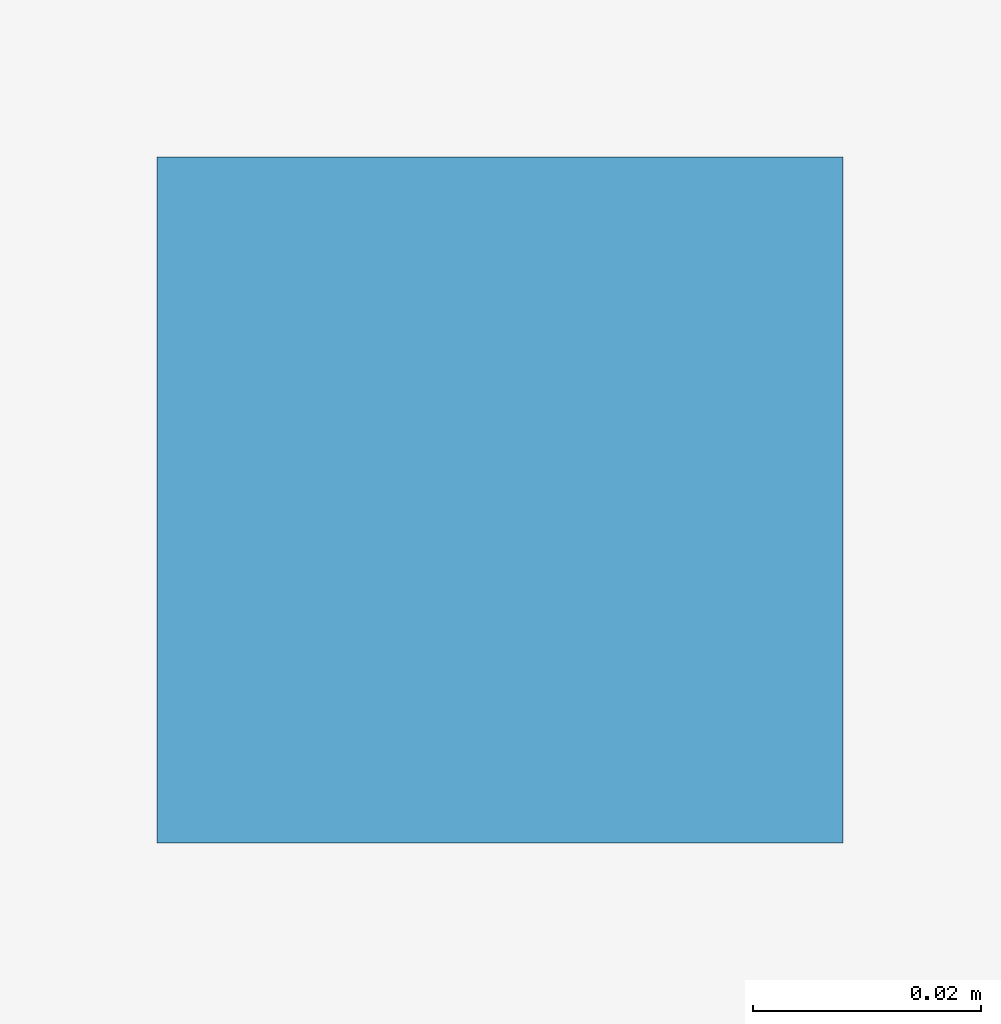
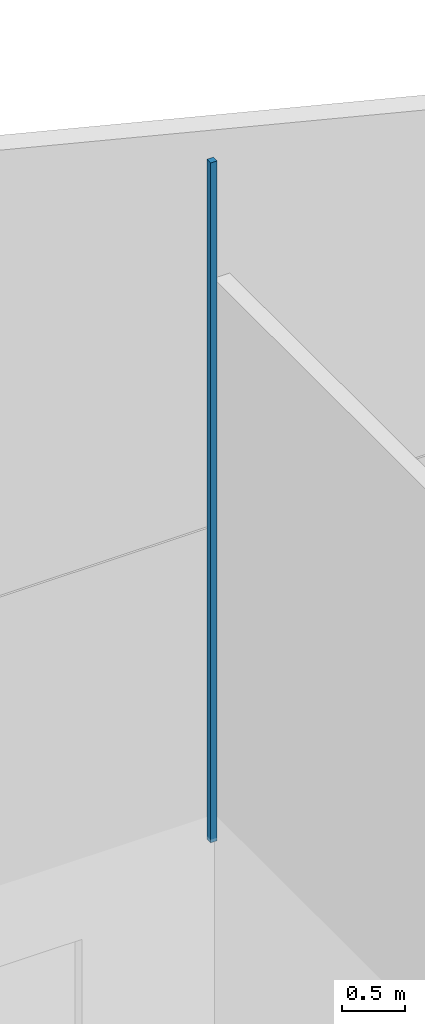
# One storey, part 91 of 110: 1 discrete accessory.
"""IFC4 building model written with IfcOpenShell, lengths in metres."""

import ifcopenshell
import ifcopenshell.guid

model = None  # the IFC model being written
_history = None  # IfcOwnerHistory: only IFC2X3 demands one
_inside = {}  # id of a spatial element -> (the spatial element, [elements in it])
_under = {}  # id of a project, library or spatial element -> (it, [spatial elements below it])
_declared = {}  # id of a project -> (the project, [libraries it declares])
_typed = {}  # id of a type object -> (the type object, [elements of that type])
_made_of = {}  # id of a material, layer set ... -> (it, [elements and type objects made of it])


def new_model(schema):
    """Start an empty IFC model of exactly this schema.

    Asked for "IFC4X3", IfcOpenShell would pick the latest addendum, in which some entities
    have other attributes; the version numbers below select the first issue.
    IFC2X3 requires an IfcOwnerHistory on every rooted entity: one is made here for all.
    """
    global model, _history
    if schema == "IFC4X3":
        model = ifcopenshell.file(schema_version=(4, 3, 0, 0))
    else:
        model = ifcopenshell.file(schema=schema)
    _inside.clear()
    _under.clear()
    _declared.clear()
    _typed.clear()
    _made_of.clear()
    _history = None
    if model.schema == "IFC2X3":
        org = make("IfcOrganization", Name="unknown")
        user = make(
            "IfcPersonAndOrganization",
            ThePerson=make("IfcPerson", FamilyName="unknown"),
            TheOrganization=org,
        )
        app = make(
            "IfcApplication",
            ApplicationDeveloper=org,
            Version="unknown",
            ApplicationFullName="unknown",
            ApplicationIdentifier="unknown",
        )
        _history = make(
            "IfcOwnerHistory",
            OwningUser=user,
            OwningApplication=app,
            ChangeAction="ADDED",
            CreationDate=0,
        )
    return model


def make(cls, **values):
    """One entity of the class cls with the attributes given. An attribute that is None is left unset."""
    return model.create_entity(
        cls, **{name: value for name, value in values.items() if value is not None}
    )


def rooted(cls, **values):
    """An entity with a GlobalId (a new one), such as an element, a storey or a relation."""
    return make(cls, GlobalId=ifcopenshell.guid.new(), OwnerHistory=_history, **values)


def si_unit(unit_type, name, prefix=None):
    """IfcSIUnit, for example si_unit("LENGTHUNIT", "METRE", prefix="MILLI")."""
    return make("IfcSIUnit", UnitType=unit_type, Prefix=prefix, Name=name)


def assignment(units):
    """IfcUnitAssignment: the units of a project."""
    return None if units is None else make("IfcUnitAssignment", Units=units)


def point(xyz):
    """IfcCartesianPoint."""
    return None if xyz is None else make("IfcCartesianPoint", Coordinates=xyz)


def direction(xyz):
    """IfcDirection."""
    return None if xyz is None else make("IfcDirection", DirectionRatios=xyz)


def frame(location, z_axis=None, x_axis=None):
    """IfcAxis2Placement3D, a coordinate frame: its origin and axes. An axis left out is left unset."""
    return make(
        "IfcAxis2Placement3D",
        Location=point(location),
        Axis=direction(z_axis),
        RefDirection=direction(x_axis),
    )


def origin():
    """The frame at (0, 0, 0) with its axes left unset."""
    return frame((0.0, 0.0, 0.0))


def place(relative_to, where):
    """IfcLocalPlacement: puts the frame where relative to a parent placement (None: the world)."""
    return make(
        "IfcLocalPlacement", PlacementRelTo=relative_to, RelativePlacement=where
    )


def context(
    kind, dimensions, precision=None, world=None, true_north=None, identifier=None
):
    """IfcGeometricRepresentationContext, for example the 3D "Model" context."""
    return make(
        "IfcGeometricRepresentationContext",
        ContextIdentifier=identifier,
        ContextType=kind,
        CoordinateSpaceDimension=dimensions,
        Precision=precision,
        WorldCoordinateSystem=world,
        TrueNorth=true_north,
    )


def subcontext(parent, identifier, kind, view, scale=None):
    """IfcGeometricRepresentationSubContext, for example "Body" below "Model"."""
    return make(
        "IfcGeometricRepresentationSubContext",
        ContextIdentifier=identifier,
        ContextType=kind,
        ParentContext=parent,
        TargetScale=scale,
        TargetView=view,
    )


def project(units=None, contexts=None):
    """IfcProject with its units and contexts."""
    return rooted(
        "IfcProject",
        Name="project",
        RepresentationContexts=contexts,
        UnitsInContext=assignment(units),
    )


def spatial(cls, under=None, at=None, **own):
    """A site, building, storey or space (cls), placed at a placement, below another one or the project."""
    s = rooted(cls, ObjectPlacement=at, **own)
    if under is not None:
        _under.setdefault(under.id(), (under, []))[1].append(s)
    return s


def polyline(points):
    """IfcPolyline through the points."""
    return make("IfcPolyline", Points=[point(p) for p in points])


def outline(outer, holes=None, kind="AREA"):
    """IfcArbitraryClosedProfileDef: a profile drawn as a closed curve; with holes, ...WithVoids."""
    if holes is None:
        return make("IfcArbitraryClosedProfileDef", ProfileType=kind, OuterCurve=outer)
    return make(
        "IfcArbitraryProfileDefWithVoids",
        ProfileType=kind,
        OuterCurve=outer,
        InnerCurves=holes,
    )


def extrude(swept, where, along, depth):
    """IfcExtrudedAreaSolid: the profile swept, set in the frame where, extruded along a direction by depth."""
    return make(
        "IfcExtrudedAreaSolid",
        SweptArea=swept,
        Position=where,
        ExtrudedDirection=direction(along),
        Depth=depth,
    )


def shape(context_of_items, identifier, shape_type, items):
    """IfcShapeRepresentation: the items that make up one representation, for example the "Body"."""
    return make(
        "IfcShapeRepresentation",
        ContextOfItems=context_of_items,
        RepresentationIdentifier=identifier,
        RepresentationType=shape_type,
        Items=items,
    )


def material(Name=None, Category=None):
    """IfcMaterial."""
    return make("IfcMaterial", Name=Name, Category=Category)


def made_of(thing, what):
    """Note that an element or type object is made of a material, layer set ...; save() writes the relation."""
    if what is not None:
        _made_of.setdefault(what.id(), (what, []))[1].append(thing)
    return thing


def type_object(cls, material=None, **own):
    """A type object (cls), such as IfcWallType, which elements share."""
    return made_of(rooted(cls, **own), material)


def element(
    cls,
    number,
    at=None,
    inside=None,
    cuts=None,
    type_object=None,
    material=None,
    context=None,
    identifier="Body",
    shape_type=None,
    held_by="IfcProductDefinitionShape",
    body=None,
    shapes=None,
    **own,
):
    """One element of the class cls, such as IfcWall. Its Tag is "e" and its number.

    at: its placement. inside: the storey or other place that contains it. cuts: it is an
    opening in that element (IfcRelVoidsElement). A single representation is given by context,
    identifier, shape_type and body (its items); several are given by shapes. held_by: the class
    of the entity that holds the representations. save() writes the other relations.
    """
    e = rooted(cls, Tag="e%d" % number, ObjectPlacement=at, **own)
    if body is not None:
        shapes = [shape(context, identifier, shape_type, body)]
    if shapes is not None:
        e.Representation = make(held_by, Representations=shapes)
    if inside is not None:
        _inside.setdefault(inside.id(), (inside, []))[1].append(e)
    if cuts is not None:
        rooted(
            "IfcRelVoidsElement", RelatingBuildingElement=cuts, RelatedOpeningElement=e
        )
    if type_object is not None:
        _typed.setdefault(type_object.id(), (type_object, []))[1].append(e)
    return made_of(e, material)


def aggregate(whole, parts):
    """IfcRelAggregates: a whole, such as a stair, and the parts it consists of."""
    return rooted("IfcRelAggregates", RelatingObject=whole, RelatedObjects=parts)


def save(model, path):
    """Write the relations noted so far, then the file.

    IfcRelAggregates (storeys below a building ...), IfcRelContainedInSpatialStructure (elements
    in a storey), IfcRelDefinesByType, IfcRelAssociatesMaterial and IfcRelDeclares: one each for
    every whole, place, type object, material and project.
    """
    for whole, parts in _under.values():
        aggregate(whole, parts)
    for where, things in _inside.values():
        rooted(
            "IfcRelContainedInSpatialStructure",
            RelatedElements=things,
            RelatingStructure=where,
        )
    for kind, things in _typed.values():
        rooted("IfcRelDefinesByType", RelatedObjects=things, RelatingType=kind)
    for what, things in _made_of.values():
        rooted("IfcRelAssociatesMaterial", RelatedObjects=things, RelatingMaterial=what)
    for by, libraries in _declared.values():
        rooted("IfcRelDeclares", RelatingContext=by, RelatedDefinitions=libraries)
    model.write(path)


model = new_model("IFC4")

# Units and contexts
model_context = context("Model", 3, precision=1e-05, world=origin(), true_north=direction((0.0, 1.0)))
body_context = subcontext(model_context, "Body", "Model", "MODEL_VIEW")
ifc_project = project(units=[si_unit("LENGTHUNIT", "METRE"), si_unit("AREAUNIT", "SQUARE_METRE"), si_unit("VOLUMEUNIT", "CUBIC_METRE"), si_unit("PLANEANGLEUNIT", "RADIAN"), si_unit("MASSUNIT", "GRAM", prefix="KILO")], contexts=[model_context])

# Site, building, storey
site_placement = place(None, origin())
site = spatial("IfcSite", under=ifc_project, at=site_placement, CompositionType="ELEMENT")
building_placement = place(site_placement, origin())
building = spatial("IfcBuilding", under=site, at=building_placement, Name="Dunescarp Central Library", CompositionType="ELEMENT")
storey_placement = place(building_placement, frame((0.0, 0.0, 9.60009765625)))
storey = spatial("IfcBuildingStorey", under=building, at=storey_placement, Name="L02", CompositionType="ELEMENT", Elevation=9.60009765625)

# Discrete accessory
ifc_material = material(Name="Stainless steel Grade 316L", Category="steel")
discrete_accessory_type = type_object("IfcDiscreteAccessoryType", Name="ARC-ACC-BRK", PredefinedType="BRACKET", material=ifc_material)
discrete_accessory_placement = place(storey_placement, frame((0.0, 0.0, 3.059814453125)))
element("IfcDiscreteAccessory", 1, at=discrete_accessory_placement, inside=storey, type_object=discrete_accessory_type, Name="L02 ceiling hanger CLG-L02-153-H2", PredefinedType="BRACKET", context=body_context, shape_type="SweptSolid", body=[
    extrude(outline(polyline([(145.919921875, 44.3798828125), (145.97998046875, 44.3798828125), (145.97998046875, 44.43994140625), (145.919921875, 44.43994140625), (145.919921875, 44.3798828125)])), origin(), (0.0, 0.0, 1.0), 6.623046875),
])

save(model, "model.ifc")
